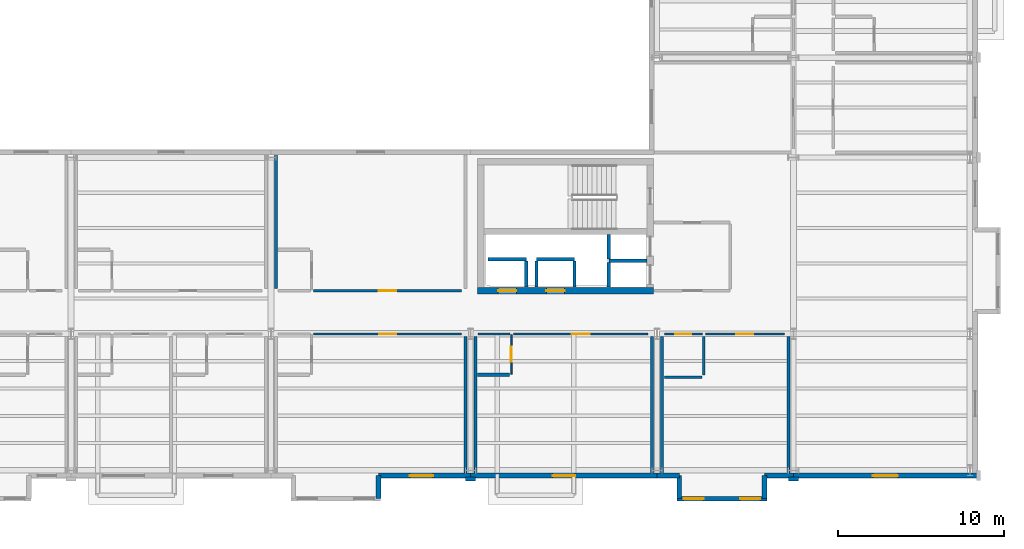
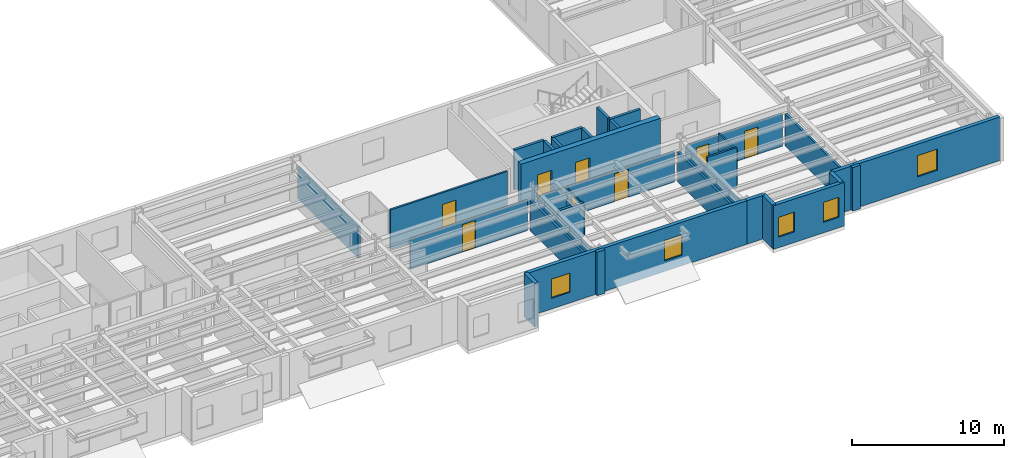
# One storey, part 14 of 23: 36 walls, 8 doors, 5 windows, 13 openings.
"""IFC4 building model written with IfcOpenShell, lengths in metres."""

from ifc_helpers import new_model, si_unit, direction, frame, frame_2d, origin, place, context, subcontext, project, spatial, rectangle, extrude, material, layer, layer_set, type_object, element, fill, save


model = new_model("IFC4")

# Units and contexts
model_context = context("Model", 3, precision=1e-05, world=origin(), true_north=direction((0.0, 1.0)))
body_context = subcontext(model_context, "Body", "Model", "MODEL_VIEW")
ifc_project = project(units=[si_unit("LENGTHUNIT", "METRE"), si_unit("AREAUNIT", "SQUARE_METRE"), si_unit("VOLUMEUNIT", "CUBIC_METRE"), si_unit("PLANEANGLEUNIT", "RADIAN"), si_unit("MASSUNIT", "GRAM", prefix="KILO")], contexts=[model_context])

# Site, building, storey
site_placement = place(None, origin())
site = spatial("IfcSite", under=ifc_project, at=site_placement, CompositionType="ELEMENT")
building_placement = place(site_placement, origin())
building = spatial("IfcBuilding", under=site, at=building_placement, Name="Sollismere Congress Hotel", CompositionType="ELEMENT")
storey_placement = place(building_placement, frame((0.0, 0.0, 30.60009765625)))
storey = spatial("IfcBuildingStorey", under=building, at=storey_placement, Name="L07", CompositionType="ELEMENT", Elevation=30.60009765625)

# Wall, opening, window
ifc_material_1 = material(Name="Colorado Buff Sandstone Rainscreen on Insulated Backup", Category="masonry")
ifc_layer_1 = layer(ifc_material_1, 0.284912109375, Name="Colorado Buff Sandstone Rainscreen on Insulated Backup")
ifc_layer_set_1 = layer_set([ifc_layer_1], Name="Colorado Buff Sandstone Rainscreen on Insulated Backup")
wall_type_1 = type_object("IfcWallType", Name="WL-EXT285", PredefinedType="STANDARD", material=ifc_layer_set_1)
wall_1_placement = place(storey_placement, frame((130.4599609375, -0.31005859375, 0.0), z_axis=(0.0, 0.0, 1.0), x_axis=(1.0, 0.0, 0.0)))
wall_1 = element("IfcWall", 1, at=wall_1_placement, inside=storey, type_object=wall_type_1, Name="Exterior wall EW-L07-756", PredefinedType="STANDARD", context=body_context, shape_type="SweptSolid", body=[
    extrude(rectangle(XDim=5.5400390625, YDim=0.284912109375, at=frame_2d((2.77001953125, 0.0))), origin(), (0.0, 0.0, 1.0), 3.5),
])
opening_1_placement = place(wall_1_placement, frame((1.89501953125, 0.0, 0.85009765625)))
opening_1 = element("IfcOpeningElement", 2, at=opening_1_placement, cuts=wall_1, Name="Opening W-L07-554", PredefinedType="OPENING", context=body_context, shape_type="SweptSolid", body=[
    extrude(rectangle(XDim=1.39990234375, YDim=1.550048828125, at=frame_2d((0.699951171875, 0.77490234375))), frame((0.0, 0.15234375, 0.0), z_axis=(0.0, -1.0, 0.0), x_axis=(1.0, 0.0, 0.0)), (0.0, 0.0, 1.0), 0.304931640625),
])
ifc_material_2 = material(Name="Thermally Broken Bronze Aluminum & Low-E Glass", Category="aluminium")
window_type_1 = type_object("IfcWindowType", Name="WN-P140x155", PartitioningType="SINGLE_PANEL", PredefinedType="WINDOW", material=ifc_material_2)
window_1_placement = place(opening_1_placement, origin())
window_1 = element("IfcWindow", 3, at=window_1_placement, inside=storey, type_object=window_type_1, Name="WIN-W-L07-554", OverallHeight=1.550048828125, OverallWidth=1.39990234375, PartitioningType="SINGLE_PANEL", PredefinedType="WINDOW", context=body_context, shape_type="SweptSolid", body=[
    extrude(rectangle(XDim=1.39990234375, YDim=1.550048828125, at=frame_2d((0.699951171875, 0.77490234375))), frame((0.0, 0.030029296875, 0.0), z_axis=(0.0, -1.0, 0.0), x_axis=(1.0, 0.0, 0.0)), (0.0, 0.0, 1.0), 0.06005859375),
])
fill(opening_1, window_1)

# Wall
wall_2_placement = place(storey_placement, frame((130.4599609375, -1.699951171875, 0.0), z_axis=(0.0, 0.0, 1.0), x_axis=(0.0, 1.0, 0.0)))
element("IfcWall", 4, at=wall_2_placement, inside=storey, type_object=wall_type_1, Name="Exterior wall EW-L07-759", PredefinedType="STANDARD", context=body_context, shape_type="SweptSolid", body=[
    extrude(rectangle(XDim=1.389892578125, YDim=0.284912109375, at=frame_2d((0.69482421875, 0.0))), origin(), (0.0, 0.0, 1.0), 3.5),
])

# Wall, opening, window
wall_3_placement = place(storey_placement, frame((136.0, -0.31005859375, 0.0), z_axis=(0.0, 0.0, 1.0), x_axis=(1.0, 0.0, 0.0)))
wall_3 = element("IfcWall", 5, at=wall_3_placement, inside=storey, type_object=wall_type_1, Name="Exterior wall EW-L07-760", PredefinedType="STANDARD", context=body_context, shape_type="SweptSolid", body=[
    extrude(rectangle(XDim=11.199951171875, YDim=0.284912109375, at=frame_2d((5.60009765625, 0.0))), origin(), (0.0, 0.0, 1.0), 3.5),
])
opening_2_placement = place(wall_3_placement, frame((4.925048828125, 0.0, 0.85009765625)))
opening_2 = element("IfcOpeningElement", 6, at=opening_2_placement, cuts=wall_3, Name="Opening W-L07-557", PredefinedType="OPENING", context=body_context, shape_type="SweptSolid", body=[
    extrude(rectangle(XDim=1.35009765625, YDim=1.64990234375, at=frame_2d((0.675048828125, 0.824951171875))), frame((0.0, 0.15234375, 0.0), z_axis=(0.0, -1.0, 0.0), x_axis=(1.0, 0.0, 0.0)), (0.0, 0.0, 1.0), 0.304931640625),
])
window_type_2 = type_object("IfcWindowType", Name="WN-P135x165", PartitioningType="SINGLE_PANEL", PredefinedType="WINDOW", material=ifc_material_2)
window_2_placement = place(opening_2_placement, origin())
window_2 = element("IfcWindow", 7, at=window_2_placement, inside=storey, type_object=window_type_2, Name="WIN-W-L07-557", OverallHeight=1.64990234375, OverallWidth=1.35009765625, PartitioningType="SINGLE_PANEL", PredefinedType="WINDOW", context=body_context, shape_type="SweptSolid", body=[
    extrude(rectangle(XDim=1.35009765625, YDim=1.64990234375, at=frame_2d((0.675048828125, 0.824951171875))), frame((0.0, 0.030029296875, 0.0), z_axis=(0.0, -1.0, 0.0), x_axis=(1.0, 0.0, 0.0)), (0.0, 0.0, 1.0), 0.06005859375),
])
fill(opening_2, window_2)

# Walls
wall_4_placement = place(storey_placement, frame((147.199951171875, -0.31005859375, 0.0), z_axis=(0.0, 0.0, 1.0), x_axis=(1.0, 0.0, 0.0)))
element("IfcWall", 8, at=wall_4_placement, inside=storey, type_object=wall_type_1, Name="Exterior wall EW-L07-762", PredefinedType="STANDARD", context=body_context, shape_type="SweptSolid", body=[
    extrude(rectangle(XDim=1.340087890625, YDim=0.284912109375, at=frame_2d((0.669921875, 0.0))), origin(), (0.0, 0.0, 1.0), 3.5),
])
wall_5_placement = place(storey_placement, frame((153.659912109375, -0.31005859375, 0.0), z_axis=(0.0, 0.0, 1.0), x_axis=(1.0, 0.0, 0.0)))
element("IfcWall", 9, at=wall_5_placement, inside=storey, type_object=wall_type_1, Name="Exterior wall EW-L07-763", PredefinedType="STANDARD", context=body_context, shape_type="SweptSolid", body=[
    extrude(rectangle(XDim=1.739990234375, YDim=0.284912109375, at=frame_2d((0.8701171875, 0.0))), origin(), (0.0, 0.0, 1.0), 3.5),
])

# Wall, openings, windows
wall_6_placement = place(storey_placement, frame((148.39990234375, -1.699951171875, 0.0), z_axis=(0.0, 0.0, 1.0), x_axis=(1.0, 0.0, 0.0)))
wall_6 = element("IfcWall", 10, at=wall_6_placement, inside=storey, type_object=wall_type_1, Name="Exterior wall EW-L07-764", PredefinedType="STANDARD", context=body_context, shape_type="SweptSolid", body=[
    extrude(rectangle(XDim=5.400146484375, YDim=0.284912109375, at=frame_2d((2.7001953125, 0.0))), origin(), (0.0, 0.0, 1.0), 3.5),
])
opening_3_placement = place(wall_6_placement, frame((0.39990234375, 0.0, 0.85009765625)))
opening_3 = element("IfcOpeningElement", 11, at=opening_3_placement, cuts=wall_6, Name="Opening W-L07-558", PredefinedType="OPENING", context=body_context, shape_type="SweptSolid", body=[
    extrude(rectangle(XDim=1.199951171875, YDim=1.60009765625, at=frame_2d((0.60009765625, 0.800048828125))), frame((0.0, 0.15234375, 0.0), z_axis=(0.0, -1.0, 0.0), x_axis=(1.0, 0.0, 0.0)), (0.0, 0.0, 1.0), 0.304931640625),
])
opening_4_placement = place(wall_6_placement, frame((3.800048828125, 0.0, 0.85009765625)))
opening_4 = element("IfcOpeningElement", 12, at=opening_4_placement, cuts=wall_6, Name="Opening W-L07-559", PredefinedType="OPENING", context=body_context, shape_type="SweptSolid", body=[
    extrude(rectangle(XDim=1.199951171875, YDim=1.60009765625, at=frame_2d((0.60009765625, 0.800048828125))), frame((0.0, 0.15234375, 0.0), z_axis=(0.0, -1.0, 0.0), x_axis=(1.0, 0.0, 0.0)), (0.0, 0.0, 1.0), 0.304931640625),
])
window_type_3 = type_object("IfcWindowType", Name="WN-P120x160", PartitioningType="SINGLE_PANEL", PredefinedType="WINDOW", material=ifc_material_2)
window_3_placement = place(opening_3_placement, origin())
window_3 = element("IfcWindow", 13, at=window_3_placement, inside=storey, type_object=window_type_3, Name="WIN-W-L07-558", OverallHeight=1.60009765625, OverallWidth=1.199951171875, PartitioningType="SINGLE_PANEL", PredefinedType="WINDOW", context=body_context, shape_type="SweptSolid", body=[
    extrude(rectangle(XDim=1.199951171875, YDim=1.60009765625, at=frame_2d((0.60009765625, 0.800048828125))), frame((0.0, 0.030029296875, 0.0), z_axis=(0.0, -1.0, 0.0), x_axis=(1.0, 0.0, 0.0)), (0.0, 0.0, 1.0), 0.06005859375),
])
fill(opening_3, window_3)
window_4_placement = place(opening_4_placement, origin())
window_4 = element("IfcWindow", 14, at=window_4_placement, inside=storey, type_object=window_type_3, Name="WIN-W-L07-559", OverallHeight=1.60009765625, OverallWidth=1.199951171875, PartitioningType="SINGLE_PANEL", PredefinedType="WINDOW", context=body_context, shape_type="SweptSolid", body=[
    extrude(rectangle(XDim=1.199951171875, YDim=1.60009765625, at=frame_2d((0.60009765625, 0.800048828125))), frame((0.0, 0.030029296875, 0.0), z_axis=(0.0, -1.0, 0.0), x_axis=(1.0, 0.0, 0.0)), (0.0, 0.0, 1.0), 0.06005859375),
])
fill(opening_4, window_4)

# Walls
for number, where, z_axis, x_axis, name in (
    (15, (148.5400390625, -0.31005859375, 0.0), (0.0, 0.0, 1.0), (0.0, -1.0, 0.0), "Exterior wall EW-L07-765"),
    (16, (153.659912109375, -1.699951171875, 0.0), (0.0, 0.0, 1.0), (0.0, 1.0, 0.0), "Exterior wall EW-L07-766"),
):
    element("IfcWall", number, at=place(storey_placement, frame(where, z_axis=z_axis, x_axis=x_axis)), inside=storey, type_object=wall_type_1, Name=name, PredefinedType="STANDARD", context=body_context, shape_type="SweptSolid", body=[
        extrude(rectangle(XDim=1.389892578125, YDim=0.284912109375, at=frame_2d((0.69482421875, 0.0))), origin(), (0.0, 0.0, 1.0), 3.5),
    ])

# Wall, opening, window
wall_7_placement = place(storey_placement, frame((155.39990234375, -0.31005859375, 0.0), z_axis=(0.0, 0.0, 1.0), x_axis=(1.0, 0.0, 0.0)))
wall_7 = element("IfcWall", 17, at=wall_7_placement, inside=storey, type_object=wall_type_1, Name="Exterior wall EW-L07-767", PredefinedType="STANDARD", context=body_context, shape_type="SweptSolid", body=[
    extrude(rectangle(XDim=11.050048828125, YDim=0.284912109375, at=frame_2d((5.52490234375, 0.0))), origin(), (0.0, 0.0, 1.0), 3.5),
])
opening_5_placement = place(wall_7_placement, frame((4.77490234375, 0.0, 0.8798828125)))
opening_5 = element("IfcOpeningElement", 18, at=opening_5_placement, cuts=wall_7, Name="Opening W-L07-560", PredefinedType="OPENING", context=body_context, shape_type="SweptSolid", body=[
    extrude(rectangle(XDim=1.5, YDim=1.699951171875, at=frame_2d((0.75, 0.85009765625))), frame((0.0, 0.15234375, 0.0), z_axis=(0.0, -1.0, 0.0), x_axis=(1.0, 0.0, 0.0)), (0.0, 0.0, 1.0), 0.304931640625),
])
window_type_4 = type_object("IfcWindowType", Name="WN-P150x170", PartitioningType="SINGLE_PANEL", PredefinedType="WINDOW", material=ifc_material_2)
window_5_placement = place(opening_5_placement, origin())
window_5 = element("IfcWindow", 19, at=window_5_placement, inside=storey, type_object=window_type_4, Name="WIN-W-L07-560", OverallHeight=1.699951171875, OverallWidth=1.5, PartitioningType="SINGLE_PANEL", PredefinedType="WINDOW", context=body_context, shape_type="SweptSolid", body=[
    extrude(rectangle(XDim=1.5, YDim=1.699951171875, at=frame_2d((0.75, 0.85009765625))), frame((0.0, 0.030029296875, 0.0), z_axis=(0.0, -1.0, 0.0), x_axis=(1.0, 0.0, 0.0)), (0.0, 0.0, 1.0), 0.06005859375),
])
fill(opening_5, window_5)

# Walls
ifc_material_3 = material(Name="Carved Travertine Pilaster & Frieze Assembly", Category="masonry")
ifc_layer_2 = layer(ifc_material_3, 0.260009765625, Name="Carved Travertine Pilaster & Frieze Assembly")
ifc_layer_set_2 = layer_set([ifc_layer_2], Name="Carved Travertine Pilaster & Frieze Assembly")
wall_type_2 = type_object("IfcWallType", Name="WL-PIL280", PredefinedType="ELEMENTEDWALL", material=ifc_layer_set_2)
wall_8_placement = place(storey_placement, frame((135.699951171875, -0.52001953125, 0.0), z_axis=(0.0, 0.0, 1.0), x_axis=(1.0, 0.0, 0.0)))
element("IfcWall", 20, at=wall_8_placement, inside=storey, type_object=wall_type_2, Name="Exterior wall EW-L07-761", PredefinedType="ELEMENTEDWALL", context=body_context, shape_type="SweptSolid", body=[
    extrude(rectangle(XDim=0.60009765625, YDim=0.260009765625, at=frame_2d((0.300048828125, 0.0))), origin(), (0.0, 0.0, 1.0), 3.5),
])
wall_9_placement = place(storey_placement, frame((155.10009765625, -0.52001953125, 0.0), z_axis=(0.0, 0.0, 1.0), x_axis=(1.0, 0.0, 0.0)))
element("IfcWall", 21, at=wall_9_placement, inside=storey, type_object=wall_type_2, Name="Exterior wall EW-L07-768", PredefinedType="ELEMENTEDWALL", context=body_context, shape_type="SweptSolid", body=[
    extrude(rectangle(XDim=0.599853515625, YDim=0.260009765625, at=frame_2d((0.2998046875, 0.0))), origin(), (0.0, 0.0, 1.0), 3.5),
])
ifc_material_4 = material(Name="Moisture-Resistant Shaft Gypsum Assembly")
ifc_layer_3 = layer(ifc_material_4, 0.199951171875, Name="Moisture-Resistant Shaft Gypsum Assembly")
ifc_layer_set_3 = layer_set([ifc_layer_3], Name="Moisture-Resistant Shaft Gypsum Assembly")
wall_type_3 = type_object("IfcWallType", Name="WL-PLM200", PredefinedType="PLUMBINGWALL", material=ifc_layer_set_3)
wall_10_placement = place(storey_placement, frame((137.054931640625, 12.68994140625, 0.0), z_axis=(0.0, 0.0, 1.0), x_axis=(1.0, 0.0, 0.0)))
element("IfcWall", 22, at=wall_10_placement, inside=storey, type_object=wall_type_3, Name="Interior wall IW-L07-0134", PredefinedType="PLUMBINGWALL", context=body_context, shape_type="SweptSolid", body=[
    extrude(rectangle(XDim=2.2900390625, YDim=0.199951171875, at=frame_2d((1.14501953125, 0.0))), origin(), (0.0, 0.0, 1.0), 3.199951171875),
])
wall_11_placement = place(storey_placement, frame((139.344970703125, 11.011962890625, 0.0), z_axis=(0.0, 0.0, 1.0), x_axis=(0.0, 1.0, 0.0)))
element("IfcWall", 23, at=wall_11_placement, inside=storey, type_object=wall_type_3, Name="Interior wall IW-L07-0135", PredefinedType="PLUMBINGWALL", context=body_context, shape_type="SweptSolid", body=[
    extrude(rectangle(XDim=1.56591796875, YDim=0.199951171875, at=frame_2d((0.782958984375, 0.0))), origin(), (0.0, 0.0, 1.0), 3.199951171875),
])
wall_12_placement = place(storey_placement, frame((139.955078125, 12.68994140625, 0.0), z_axis=(0.0, 0.0, 1.0), x_axis=(1.0, 0.0, 0.0)))
element("IfcWall", 24, at=wall_12_placement, inside=storey, type_object=wall_type_3, Name="Interior wall IW-L07-0136", PredefinedType="PLUMBINGWALL", context=body_context, shape_type="SweptSolid", body=[
    extrude(rectangle(XDim=2.2900390625, YDim=0.199951171875, at=frame_2d((1.14501953125, 0.0))), origin(), (0.0, 0.0, 1.0), 3.199951171875),
])
for number, where, z_axis, x_axis, name in (
    (25, (139.955078125, 11.011962890625, 0.0), (0.0, 0.0, 1.0), (0.0, 1.0, 0.0), "Interior wall IW-L07-0137"),
    (26, (142.2451171875, 11.011962890625, 0.0), (0.0, 0.0, 1.0), (0.0, 1.0, 0.0), "Interior wall IW-L07-0138"),
):
    element("IfcWall", number, at=place(storey_placement, frame(where, z_axis=z_axis, x_axis=x_axis)), inside=storey, type_object=wall_type_3, Name=name, PredefinedType="PLUMBINGWALL", context=body_context, shape_type="SweptSolid", body=[
        extrude(rectangle(XDim=1.56591796875, YDim=0.199951171875, at=frame_2d((0.782958984375, 0.0))), origin(), (0.0, 0.0, 1.0), 3.199951171875),
    ])
wall_13_placement = place(storey_placement, frame((144.31005859375, 12.594970703125, 0.0), z_axis=(0.0, 0.0, 1.0), x_axis=(1.0, 0.0, 0.0)))
element("IfcWall", 27, at=wall_13_placement, inside=storey, type_object=wall_type_3, Name="Interior wall IW-L07-0139", PredefinedType="PLUMBINGWALL", context=body_context, shape_type="SweptSolid", body=[
    extrude(rectangle(XDim=2.27783203125, YDim=0.199951171875, at=frame_2d((1.138916015625, 0.0))), origin(), (0.0, 0.0, 1.0), 3.199951171875),
])
wall_14_placement = place(storey_placement, frame((144.31005859375, 11.011962890625, 0.0), z_axis=(0.0, 0.0, 1.0), x_axis=(0.0, 1.0, 0.0)))
element("IfcWall", 28, at=wall_14_placement, inside=storey, type_object=wall_type_3, Name="Interior wall IW-L07-0140", PredefinedType="PLUMBINGWALL", context=body_context, shape_type="SweptSolid", body=[
    extrude(rectangle(XDim=1.470947265625, YDim=0.199951171875, at=frame_2d((0.7353515625, 0.0))), origin(), (0.0, 0.0, 1.0), 3.199951171875),
])
wall_15_placement = place(storey_placement, frame((144.31005859375, 12.70703125, 0.0), z_axis=(0.0, 0.0, 1.0), x_axis=(0.0, 1.0, 0.0)))
element("IfcWall", 29, at=wall_15_placement, inside=storey, type_object=wall_type_3, Name="Interior wall IW-L07-0141", PredefinedType="PLUMBINGWALL", context=body_context, shape_type="SweptSolid", body=[
    extrude(rectangle(XDim=1.4560546875, YDim=0.199951171875, at=frame_2d((0.72802734375, 0.0))), origin(), (0.0, 0.0, 1.0), 3.199951171875),
])
wall_16_placement = place(storey_placement, frame((136.419921875, 5.75, 0.0), z_axis=(0.0, 0.0, 1.0), x_axis=(1.0, 0.0, 0.0)))
element("IfcWall", 30, at=wall_16_placement, inside=storey, type_object=wall_type_3, Name="Interior wall IW-L07-2326", PredefinedType="PLUMBINGWALL", context=body_context, shape_type="SweptSolid", body=[
    extrude(rectangle(XDim=1.91015625, YDim=0.199951171875, at=frame_2d((0.955078125, 0.0))), origin(), (0.0, 0.0, 1.0), 2.7529296875),
])

# Wall, opening, door
ifc_material_5 = material(Name="Moisture-Resistant Gypsum Partition")
ifc_layer_4 = layer(ifc_material_5, 0.10009765625, Name="Moisture-Resistant Gypsum Partition")
ifc_layer_set_4 = layer_set([ifc_layer_4], Name="Moisture-Resistant Gypsum Partition")
wall_type_4 = type_object("IfcWallType", Name="WL-PRT100", PredefinedType="PARTITIONING", material=ifc_layer_set_4)
wall_17_placement = place(storey_placement, frame((138.449951171875, 5.7900390625, 0.0), z_axis=(0.0, 0.0, 1.0), x_axis=(0.0, 1.0, 0.0)))
wall_17 = element("IfcWall", 31, at=wall_17_placement, inside=storey, type_object=wall_type_4, Name="Interior wall IW-L07-2325", PredefinedType="PARTITIONING", context=body_context, shape_type="SweptSolid", body=[
    extrude(rectangle(XDim=2.369873046875, YDim=0.10009765625, at=frame_2d((1.18505859375, 0.0))), origin(), (0.0, 0.0, 1.0), 2.43798828125),
])
opening_6_placement = place(wall_17_placement, frame((0.73291015625, 0.0, 0.0)))
opening_6 = element("IfcOpeningElement", 32, at=opening_6_placement, cuts=wall_17, Name="Opening D-L07-0821", PredefinedType="OPENING", context=body_context, shape_type="SweptSolid", body=[
    extrude(rectangle(XDim=0.905029296875, YDim=2.179931640625, at=frame_2d((0.45263671875, 1.08984375))), frame((0.0, 0.06005859375, 0.0), z_axis=(0.0, -1.0, 0.0), x_axis=(1.0, 0.0, 0.0)), (0.0, 0.0, 1.0), 0.1201171875),
])
ifc_material_6 = material(Name="Moisture-Sealed Timber Bathroom Door", Category="wood")
door_type_1 = type_object("IfcDoorType", Name="DR-BT06", OperationType="NOTDEFINED", PredefinedType="DOOR", material=ifc_material_6)
door_1_placement = place(opening_6_placement, origin())
door_1 = element("IfcDoor", 33, at=door_1_placement, inside=storey, type_object=door_type_1, Name="En-suite bathroom door D-L07-0821", OperationType="SINGLE_SWING_RIGHT", OverallHeight=2.179931640625, OverallWidth=0.905029296875, PredefinedType="DOOR", context=body_context, shape_type="SweptSolid", body=[
    extrude(rectangle(XDim=0.905029296875, YDim=2.179931640625, at=frame_2d((0.45263671875, 1.08984375))), frame((0.0, 0.02490234375, 0.0), z_axis=(0.0, -1.0, 0.0), x_axis=(1.0, 0.0, 0.0)), (0.0, 0.0, 1.0), 0.050048828125),
])
fill(opening_6, door_1)

ifc_material_7 = material(Name="Fire-Rated Gypsum Partition")
ifc_layer_5 = layer(ifc_material_7, 0.139892578125, Name="Fire-Rated Gypsum Partition")
ifc_layer_set_5 = layer_set([ifc_layer_5], Name="Fire-Rated Gypsum Partition")
wall_type_5 = type_object("IfcWallType", Name="WL-PRT140R", PredefinedType="PARTITIONING", material=ifc_layer_set_5)
wall_18_placement = place(storey_placement, frame((126.570068359375, 8.199951171875, 0.0), z_axis=(0.0, 0.0, 1.0), x_axis=(1.0, 0.0, 0.0)))
wall_18 = element("IfcWall", 34, at=wall_18_placement, inside=storey, type_object=wall_type_5, Name="Interior wall IW-L07-2310", PredefinedType="PARTITIONING", context=body_context, shape_type="SweptSolid", body=[
    extrude(rectangle(XDim=8.889892578125, YDim=0.139892578125, at=frame_2d((4.44482421875, 0.0))), origin(), (0.0, 0.0, 1.0), 2.43798828125),
])
opening_7_placement = place(wall_18_placement, frame((3.93994140625, 0.0, 0.0)))
opening_7 = element("IfcOpeningElement", 35, at=opening_7_placement, cuts=wall_18, Name="Opening D-L07-0816", PredefinedType="OPENING", context=body_context, shape_type="SweptSolid", body=[
    extrude(rectangle(XDim=1.010009765625, YDim=2.199951171875, at=frame_2d((0.5048828125, 1.10009765625))), frame((0.0, 0.079833984375, 0.0), z_axis=(0.0, -1.0, 0.0), x_axis=(1.0, 0.0, 0.0)), (0.0, 0.0, 1.0), 0.159912109375),
])
ifc_material_8 = material(Name="Solid-Core Acoustic Walnut Guestroom Entry Door")
door_type_2 = type_object("IfcDoorType", Name="DR-KY04", OperationType="NOTDEFINED", PredefinedType="DOOR", material=ifc_material_8)
door_2_placement = place(opening_7_placement, origin())
door_2 = element("IfcDoor", 36, at=door_2_placement, inside=storey, type_object=door_type_2, Name="Hotel room entry door D-L07-0816", OperationType="SINGLE_SWING_LEFT", OverallHeight=2.199951171875, OverallWidth=1.010009765625, PredefinedType="DOOR", context=body_context, shape_type="SweptSolid", body=[
    extrude(rectangle(XDim=1.010009765625, YDim=2.199951171875, at=frame_2d((0.5048828125, 1.10009765625))), frame((0.0, 0.02490234375, 0.0), z_axis=(0.0, -1.0, 0.0), x_axis=(1.0, 0.0, 0.0)), (0.0, 0.0, 1.0), 0.050048828125),
])
fill(opening_7, door_2)

wall_19_placement = place(storey_placement, frame((126.570068359375, 10.800048828125, 0.0), z_axis=(0.0, 0.0, 1.0), x_axis=(1.0, 0.0, 0.0)))
wall_19 = element("IfcWall", 37, at=wall_19_placement, inside=storey, type_object=wall_type_5, Name="Interior wall IW-L07-2316", PredefinedType="PARTITIONING", context=body_context, shape_type="SweptSolid", body=[
    extrude(rectangle(XDim=8.889892578125, YDim=0.139892578125, at=frame_2d((4.44482421875, 0.0))), origin(), (0.0, 0.0, 1.0), 3.199951171875),
])
opening_8_placement = place(wall_19_placement, frame((3.925048828125, 0.0, 0.0)))
opening_8 = element("IfcOpeningElement", 38, at=opening_8_placement, cuts=wall_19, Name="Opening D-L07-0818", PredefinedType="OPENING", context=body_context, shape_type="SweptSolid", body=[
    extrude(rectangle(XDim=1.0400390625, YDim=2.25, at=frame_2d((0.52001953125, 1.125))), frame((0.0, 0.079833984375, 0.0), z_axis=(0.0, -1.0, 0.0), x_axis=(1.0, 0.0, 0.0)), (0.0, 0.0, 1.0), 0.159912109375),
])
door_type_3 = type_object("IfcDoorType", Name="DR-KY05", OperationType="NOTDEFINED", PredefinedType="DOOR", material=ifc_material_8)
door_3_placement = place(opening_8_placement, origin())
door_3 = element("IfcDoor", 39, at=door_3_placement, inside=storey, type_object=door_type_3, Name="Hotel room entry door D-L07-0818", OperationType="SINGLE_SWING_LEFT", OverallHeight=2.25, OverallWidth=1.0400390625, PredefinedType="DOOR", context=body_context, shape_type="SweptSolid", body=[
    extrude(rectangle(XDim=1.0400390625, YDim=2.25, at=frame_2d((0.52001953125, 1.125))), frame((0.0, 0.02490234375, 0.0), z_axis=(0.0, -1.0, 0.0), x_axis=(1.0, 0.0, 0.0)), (0.0, 0.0, 1.0), 0.050048828125),
])
fill(opening_8, door_3)

# Wall
wall_20_placement = place(storey_placement, frame((136.43994140625, 8.199951171875, 0.0), z_axis=(0.0, 0.0, 1.0), x_axis=(1.0, 0.0, 0.0)))
element("IfcWall", 40, at=wall_20_placement, inside=storey, type_object=wall_type_5, Name="Interior wall IW-L07-2321", PredefinedType="PARTITIONING", context=body_context, shape_type="SweptSolid", body=[
    extrude(rectangle(XDim=1.93017578125, YDim=0.139892578125, at=frame_2d((0.965087890625, 0.0))), origin(), (0.0, 0.0, 1.0), 2.43798828125),
])

# Wall, opening, door
wall_21_placement = place(storey_placement, frame((138.570068359375, 8.199951171875, 0.0), z_axis=(0.0, 0.0, 1.0), x_axis=(1.0, 0.0, 0.0)))
wall_21 = element("IfcWall", 41, at=wall_21_placement, inside=storey, type_object=wall_type_5, Name="Interior wall IW-L07-2322", PredefinedType="PARTITIONING", context=body_context, shape_type="SweptSolid", body=[
    extrude(rectangle(XDim=8.08984375, YDim=0.139892578125, at=frame_2d((4.044921875, 0.0))), origin(), (0.0, 0.0, 1.0), 2.43798828125),
])
opening_9_placement = place(wall_21_placement, frame((3.510009765625, 0.0, 0.0)))
opening_9 = element("IfcOpeningElement", 42, at=opening_9_placement, cuts=wall_21, Name="Opening D-L07-0820", PredefinedType="OPENING", context=body_context, shape_type="SweptSolid", body=[
    extrude(rectangle(XDim=1.070068359375, YDim=2.25, at=frame_2d((0.53515625, 1.125))), frame((0.0, 0.079833984375, 0.0), z_axis=(0.0, -1.0, 0.0), x_axis=(1.0, 0.0, 0.0)), (0.0, 0.0, 1.0), 0.159912109375),
])
door_type_4 = type_object("IfcDoorType", Name="DR-KY06", OperationType="NOTDEFINED", PredefinedType="DOOR", material=ifc_material_8)
door_4_placement = place(opening_9_placement, origin())
door_4 = element("IfcDoor", 43, at=door_4_placement, inside=storey, type_object=door_type_4, Name="Hotel room entry door D-L07-0820", OperationType="SINGLE_SWING_LEFT", OverallHeight=2.25, OverallWidth=1.070068359375, PredefinedType="DOOR", context=body_context, shape_type="SweptSolid", body=[
    extrude(rectangle(XDim=1.070068359375, YDim=2.25, at=frame_2d((0.53515625, 1.125))), frame((0.0, 0.02490234375, 0.0), z_axis=(0.0, -1.0, 0.0), x_axis=(1.0, 0.0, 0.0)), (0.0, 0.0, 1.0), 0.050048828125),
])
fill(opening_9, door_4)

wall_22_placement = place(storey_placement, frame((147.639892578125, 8.199951171875, 0.0), z_axis=(0.0, 0.0, 1.0), x_axis=(1.0, 0.0, 0.0)))
wall_22 = element("IfcWall", 44, at=wall_22_placement, inside=storey, type_object=wall_type_5, Name="Interior wall IW-L07-2379", PredefinedType="PARTITIONING", context=body_context, shape_type="SweptSolid", body=[
    extrude(rectangle(XDim=2.280029296875, YDim=0.139892578125, at=frame_2d((1.14013671875, 0.0))), origin(), (0.0, 0.0, 1.0), 2.61279296875),
])
opening_10_placement = place(wall_22_placement, frame((0.659912109375, 0.0, 0.0)))
opening_10 = element("IfcOpeningElement", 45, at=opening_10_placement, cuts=wall_22, Name="Opening D-L07-0840", PredefinedType="OPENING", context=body_context, shape_type="SweptSolid", body=[
    extrude(rectangle(XDim=0.9599609375, YDim=2.14990234375, at=frame_2d((0.47998046875, 1.074951171875))), frame((0.0, 0.079833984375, 0.0), z_axis=(0.0, -1.0, 0.0), x_axis=(1.0, 0.0, 0.0)), (0.0, 0.0, 1.0), 0.159912109375),
])
ifc_material_9 = material(Name="Fire-Rated Accessible Restroom Door")
door_type_5 = type_object("IfcDoorType", Name="DR-AWC01", OperationType="NOTDEFINED", PredefinedType="DOOR", material=ifc_material_9)
door_5_placement = place(opening_10_placement, origin())
door_5 = element("IfcDoor", 46, at=door_5_placement, inside=storey, type_object=door_type_5, Name="Accessible restroom door D-L07-0840", OperationType="SINGLE_SWING_LEFT", OverallHeight=2.14990234375, OverallWidth=0.9599609375, PredefinedType="DOOR", context=body_context, shape_type="SweptSolid", body=[
    extrude(rectangle(XDim=0.9599609375, YDim=2.14990234375, at=frame_2d((0.47998046875, 1.074951171875))), frame((0.0, 0.02490234375, 0.0), z_axis=(0.0, -1.0, 0.0), x_axis=(1.0, 0.0, 0.0)), (0.0, 0.0, 1.0), 0.050048828125),
])
fill(opening_10, door_5)

# Walls
wall_23_placement = place(storey_placement, frame((150.0, 5.739990234375, 0.0), z_axis=(0.0, 0.0, 1.0), x_axis=(0.0, 1.0, 0.0)))
element("IfcWall", 47, at=wall_23_placement, inside=storey, type_object=wall_type_5, Name="Interior wall IW-L07-2380", PredefinedType="PARTITIONING", context=body_context, shape_type="SweptSolid", body=[
    extrude(rectangle(XDim=2.320068359375, YDim=0.139892578125, at=frame_2d((1.16015625, 0.0))), origin(), (0.0, 0.0, 1.0), 2.807861328125),
])
wall_24_placement = place(storey_placement, frame((147.639892578125, 5.60009765625, 0.0), z_axis=(0.0, 0.0, 1.0), x_axis=(1.0, 0.0, 0.0)))
element("IfcWall", 48, at=wall_24_placement, inside=storey, type_object=wall_type_5, Name="Interior wall IW-L07-2381", PredefinedType="PARTITIONING", context=body_context, shape_type="SweptSolid", body=[
    extrude(rectangle(XDim=2.260009765625, YDim=0.139892578125, at=frame_2d((1.1298828125, 0.0))), origin(), (0.0, 0.0, 1.0), 3.199951171875),
])

# Wall, opening, door
wall_25_placement = place(storey_placement, frame((150.10009765625, 8.199951171875, 0.0), z_axis=(0.0, 0.0, 1.0), x_axis=(1.0, 0.0, 0.0)))
wall_25 = element("IfcWall", 49, at=wall_25_placement, inside=storey, type_object=wall_type_5, Name="Interior wall IW-L07-2382", PredefinedType="PARTITIONING", context=body_context, shape_type="SweptSolid", body=[
    extrude(rectangle(XDim=4.760009765625, YDim=0.139892578125, at=frame_2d((2.3798828125, 0.0))), origin(), (0.0, 0.0, 1.0), 2.61279296875),
])
opening_11_placement = place(wall_25_placement, frame((1.875, 0.0, 0.0)))
opening_11 = element("IfcOpeningElement", 50, at=opening_11_placement, cuts=wall_25, Name="Opening D-L07-0841", PredefinedType="OPENING", context=body_context, shape_type="SweptSolid", body=[
    extrude(rectangle(XDim=1.010009765625, YDim=2.199951171875, at=frame_2d((0.5048828125, 1.10009765625))), frame((0.0, 0.079833984375, 0.0), z_axis=(0.0, -1.0, 0.0), x_axis=(1.0, 0.0, 0.0)), (0.0, 0.0, 1.0), 0.159912109375),
])
door_6_placement = place(opening_11_placement, origin())
door_6 = element("IfcDoor", 51, at=door_6_placement, inside=storey, type_object=door_type_2, Name="Hotel room entry door D-L07-0841", OperationType="SINGLE_SWING_RIGHT", OverallHeight=2.199951171875, OverallWidth=1.010009765625, PredefinedType="DOOR", context=body_context, shape_type="SweptSolid", body=[
    extrude(rectangle(XDim=1.010009765625, YDim=2.199951171875, at=frame_2d((0.5048828125, 1.10009765625))), frame((0.0, 0.02490234375, 0.0), z_axis=(0.0, -1.0, 0.0), x_axis=(1.0, 0.0, 0.0)), (0.0, 0.0, 1.0), 0.050048828125),
])
fill(opening_11, door_6)

# Walls
ifc_material_10 = material(Name="Fire-Rated Acoustic Gypsum Partition")
ifc_layer_6 = layer(ifc_material_10, 0.1650390625, Name="Fire-Rated Acoustic Gypsum Partition")
ifc_layer_set_6 = layer_set([ifc_layer_6], Name="Fire-Rated Acoustic Gypsum Partition")
wall_type_6 = type_object("IfcWallType", Name="WL-PRT165R", PredefinedType="PARTITIONING", material=ifc_layer_set_6)
wall_26_placement = place(storey_placement, frame((135.699951171875, -0.152587890625, 0.0), z_axis=(0.0, 0.0, 1.0), x_axis=(0.0, 1.0, 0.0)))
element("IfcWall", 52, at=wall_26_placement, inside=storey, type_object=wall_type_6, Name="Interior wall IW-L07-2312", PredefinedType="PARTITIONING", context=body_context, shape_type="SweptSolid", body=[
    extrude(rectangle(XDim=8.212646484375, YDim=0.1650390625, at=frame_2d((4.1064453125, 0.0))), origin(), (0.0, 0.0, 1.0), 2.43798828125),
])
wall_27_placement = place(storey_placement, frame((124.300048828125, 10.93994140625, 0.0), z_axis=(0.0, 0.0, 1.0), x_axis=(0.0, 1.0, 0.0)))
element("IfcWall", 53, at=wall_27_placement, inside=storey, type_object=wall_type_6, Name="Interior wall IW-L07-2317", PredefinedType="PARTITIONING", context=body_context, shape_type="SweptSolid", body=[
    extrude(rectangle(XDim=8.012451171875, YDim=0.1650390625, at=frame_2d((4.00634765625, 0.0))), origin(), (0.0, 0.0, 1.0), 2.52880859375),
])
for number, where, z_axis, x_axis, name in (
    (54, (136.300048828125, -0.152587890625, 0.0), (0.0, 0.0, 1.0), (0.0, 1.0, 0.0), "Interior wall IW-L07-2323"),
    (55, (146.89990234375, -0.152587890625, 0.0), (0.0, 0.0, 1.0), (0.0, 1.0, 0.0), "Interior wall IW-L07-2324"),
):
    element("IfcWall", number, at=place(storey_placement, frame(where, z_axis=z_axis, x_axis=x_axis)), inside=storey, type_object=wall_type_6, Name=name, PredefinedType="PARTITIONING", context=body_context, shape_type="SweptSolid", body=[
        extrude(rectangle(XDim=8.212646484375, YDim=0.1650390625, at=frame_2d((4.1064453125, 0.0))), origin(), (0.0, 0.0, 1.0), 2.43798828125),
    ])
for number, where, z_axis, x_axis, name in (
    (56, (147.5, -0.152587890625, 0.0), (0.0, 0.0, 1.0), (0.0, 1.0, 0.0), "Interior wall IW-L07-2383"),
    (57, (155.10009765625, -0.152587890625, 0.0), (0.0, 0.0, 1.0), (0.0, 1.0, 0.0), "Interior wall IW-L07-2384"),
):
    element("IfcWall", number, at=place(storey_placement, frame(where, z_axis=z_axis, x_axis=x_axis)), inside=storey, type_object=wall_type_6, Name=name, PredefinedType="PARTITIONING", context=body_context, shape_type="SweptSolid", body=[
        extrude(rectangle(XDim=8.212646484375, YDim=0.1650390625, at=frame_2d((4.1064453125, 0.0))), origin(), (0.0, 0.0, 1.0), 2.58984375),
    ])

# Wall, openings, doors
ifc_material_11 = material(Name="Concrete C50/60", Category="concrete")
ifc_layer_7 = layer(ifc_material_11, 0.39990234375, Name="Concrete C50/60")
ifc_layer_set_7 = layer_set([ifc_layer_7], Name="Concrete C50/60")
wall_type_7 = type_object("IfcWallType", Name="WL-SHR400", PredefinedType="SHEAR", material=ifc_layer_set_7)
wall_28_placement = place(storey_placement, frame((136.39990234375, 10.800048828125, 0.0), z_axis=(0.0, 0.0, 1.0), x_axis=(1.0, 0.0, 0.0)))
wall_28 = element("IfcWall", 58, at=wall_28_placement, inside=storey, type_object=wall_type_7, Name="Interior wall IW-L07-0129", PredefinedType="SHEAR", context=body_context, shape_type="SweptSolid", body=[
    extrude(rectangle(XDim=10.60009765625, YDim=0.39990234375, at=frame_2d((5.300048828125, 0.0))), origin(), (0.0, 0.0, 1.0), 3.5),
])
opening_12_placement = place(wall_28_placement, frame((1.25, 0.0, 0.0)))
opening_12 = element("IfcOpeningElement", 59, at=opening_12_placement, cuts=wall_28, Name="Opening LD-LP-01-L07", PredefinedType="OPENING", context=body_context, shape_type="SweptSolid", body=[
    extrude(rectangle(XDim=1.10009765625, YDim=2.199951171875, at=frame_2d((0.550048828125, 1.10009765625))), frame((0.0, 0.2099609375, 0.0), z_axis=(0.0, -1.0, 0.0), x_axis=(1.0, 0.0, 0.0)), (0.0, 0.0, 1.0), 0.419921875),
])
opening_13_placement = place(wall_28_placement, frame((4.14990234375, 0.0, 0.0)))
opening_13 = element("IfcOpeningElement", 60, at=opening_13_placement, cuts=wall_28, Name="Opening LD-LP-02-L07", PredefinedType="OPENING", context=body_context, shape_type="SweptSolid", body=[
    extrude(rectangle(XDim=1.10009765625, YDim=2.199951171875, at=frame_2d((0.550048828125, 1.10009765625))), frame((0.0, 0.2099609375, 0.0), z_axis=(0.0, -1.0, 0.0), x_axis=(1.0, 0.0, 0.0)), (0.0, 0.0, 1.0), 0.419921875),
])
ifc_material_12 = material(Name="Brushed Bronze Sliding Elevator Landing Door")
door_type_6 = type_object("IfcDoorType", Name="DR-LD110", OperationType="NOTDEFINED", PredefinedType="DOOR", material=ifc_material_12)
door_7_placement = place(opening_12_placement, origin())
door_7 = element("IfcDoor", 61, at=door_7_placement, inside=storey, type_object=door_type_6, Name="Elevator landing door LD-LP-01-L07", OperationType="SLIDING_TO_LEFT", OverallHeight=2.199951171875, OverallWidth=1.10009765625, PredefinedType="DOOR", context=body_context, shape_type="SweptSolid", body=[
    extrude(rectangle(XDim=1.10009765625, YDim=2.199951171875, at=frame_2d((0.550048828125, 1.10009765625))), frame((0.0, 0.02490234375, 0.0), z_axis=(0.0, -1.0, 0.0), x_axis=(1.0, 0.0, 0.0)), (0.0, 0.0, 1.0), 0.050048828125),
])
fill(opening_12, door_7)
door_8_placement = place(opening_13_placement, origin())
door_8 = element("IfcDoor", 62, at=door_8_placement, inside=storey, type_object=door_type_6, Name="Elevator landing door LD-LP-02-L07", OperationType="SLIDING_TO_RIGHT", OverallHeight=2.199951171875, OverallWidth=1.10009765625, PredefinedType="DOOR", context=body_context, shape_type="SweptSolid", body=[
    extrude(rectangle(XDim=1.10009765625, YDim=2.199951171875, at=frame_2d((0.550048828125, 1.10009765625))), frame((0.0, 0.02490234375, 0.0), z_axis=(0.0, -1.0, 0.0), x_axis=(1.0, 0.0, 0.0)), (0.0, 0.0, 1.0), 0.050048828125),
])
fill(opening_13, door_8)

save(model, "model.ifc")
